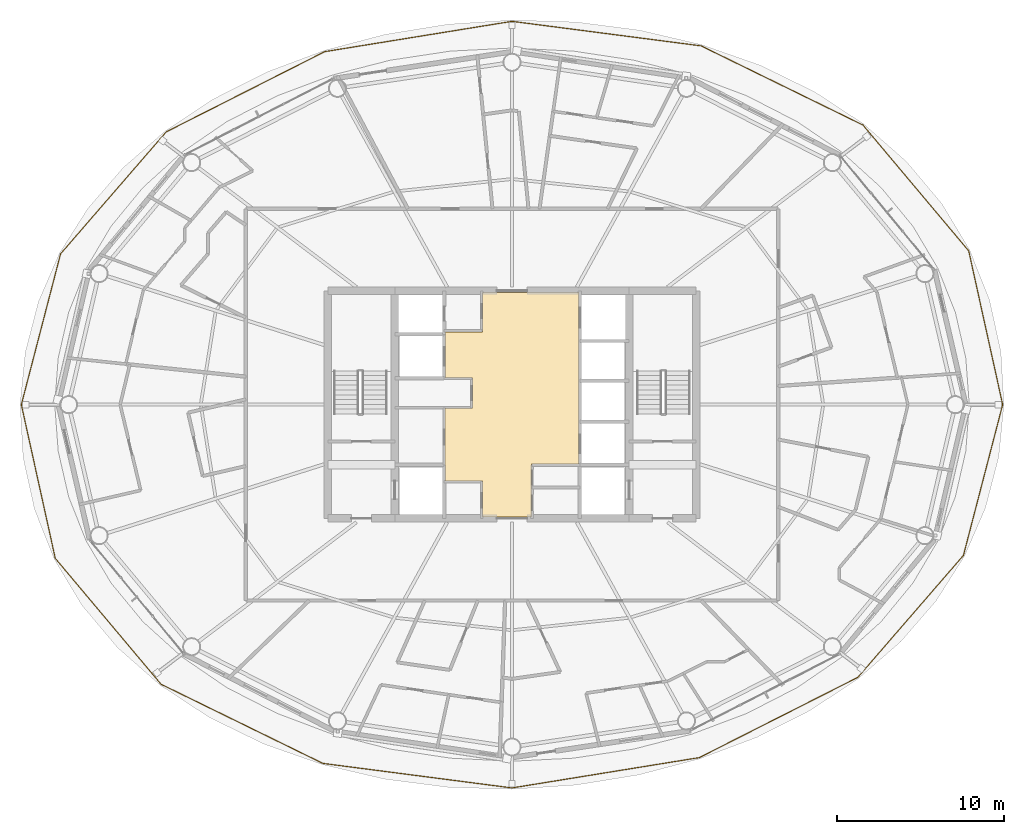
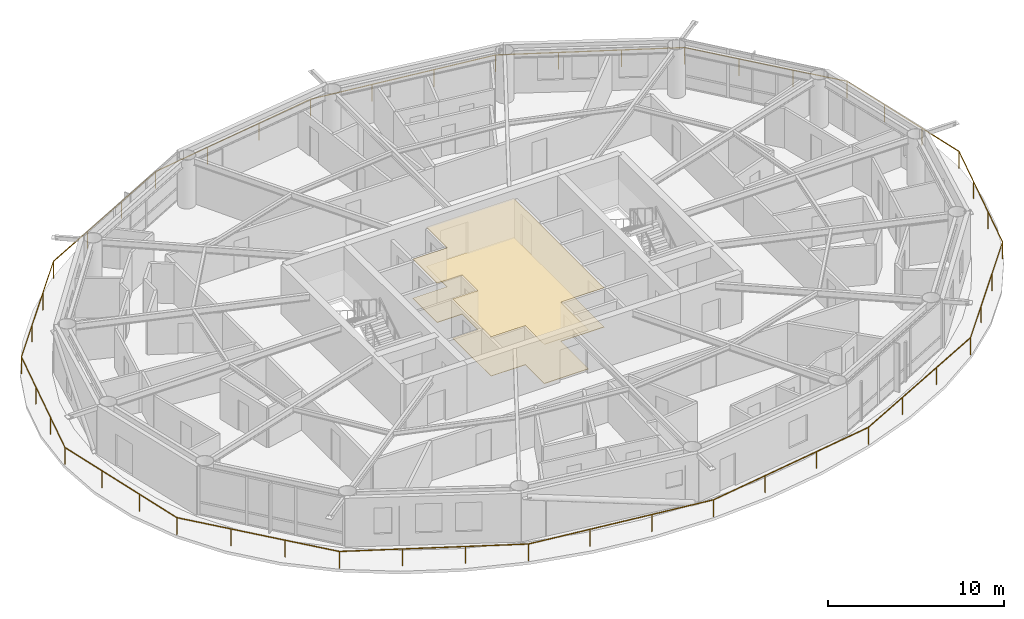
# One storey, part 26 of 27: 2 coverings, 1 railing.
"""IFC4 building model written with IfcOpenShell, lengths in metres."""

import ifcopenshell
import ifcopenshell.guid

model = None  # the IFC model being written
_history = None  # IfcOwnerHistory: only IFC2X3 demands one
_inside = {}  # id of a spatial element -> (the spatial element, [elements in it])
_under = {}  # id of a project, library or spatial element -> (it, [spatial elements below it])
_declared = {}  # id of a project -> (the project, [libraries it declares])
_typed = {}  # id of a type object -> (the type object, [elements of that type])
_made_of = {}  # id of a material, layer set ... -> (it, [elements and type objects made of it])


def new_model(schema):
    """Start an empty IFC model of exactly this schema.

    Asked for "IFC4X3", IfcOpenShell would pick the latest addendum, in which some entities
    have other attributes; the version numbers below select the first issue.
    IFC2X3 requires an IfcOwnerHistory on every rooted entity: one is made here for all.
    """
    global model, _history
    if schema == "IFC4X3":
        model = ifcopenshell.file(schema_version=(4, 3, 0, 0))
    else:
        model = ifcopenshell.file(schema=schema)
    _inside.clear()
    _under.clear()
    _declared.clear()
    _typed.clear()
    _made_of.clear()
    _history = None
    if model.schema == "IFC2X3":
        org = make("IfcOrganization", Name="unknown")
        user = make(
            "IfcPersonAndOrganization",
            ThePerson=make("IfcPerson", FamilyName="unknown"),
            TheOrganization=org,
        )
        app = make(
            "IfcApplication",
            ApplicationDeveloper=org,
            Version="unknown",
            ApplicationFullName="unknown",
            ApplicationIdentifier="unknown",
        )
        _history = make(
            "IfcOwnerHistory",
            OwningUser=user,
            OwningApplication=app,
            ChangeAction="ADDED",
            CreationDate=0,
        )
    return model


def make(cls, **values):
    """One entity of the class cls with the attributes given. An attribute that is None is left unset."""
    return model.create_entity(
        cls, **{name: value for name, value in values.items() if value is not None}
    )


def rooted(cls, **values):
    """An entity with a GlobalId (a new one), such as an element, a storey or a relation."""
    return make(cls, GlobalId=ifcopenshell.guid.new(), OwnerHistory=_history, **values)


def si_unit(unit_type, name, prefix=None):
    """IfcSIUnit, for example si_unit("LENGTHUNIT", "METRE", prefix="MILLI")."""
    return make("IfcSIUnit", UnitType=unit_type, Prefix=prefix, Name=name)


def assignment(units):
    """IfcUnitAssignment: the units of a project."""
    return None if units is None else make("IfcUnitAssignment", Units=units)


def point(xyz):
    """IfcCartesianPoint."""
    return None if xyz is None else make("IfcCartesianPoint", Coordinates=xyz)


def direction(xyz):
    """IfcDirection."""
    return None if xyz is None else make("IfcDirection", DirectionRatios=xyz)


def frame(location, z_axis=None, x_axis=None):
    """IfcAxis2Placement3D, a coordinate frame: its origin and axes. An axis left out is left unset."""
    return make(
        "IfcAxis2Placement3D",
        Location=point(location),
        Axis=direction(z_axis),
        RefDirection=direction(x_axis),
    )


def frame_2d(location, x_axis=None):
    """IfcAxis2Placement2D, a coordinate frame in the plane: its origin and x axis."""
    return make(
        "IfcAxis2Placement2D", Location=point(location), RefDirection=direction(x_axis)
    )


def origin():
    """The frame at (0, 0, 0) with its axes left unset."""
    return frame((0.0, 0.0, 0.0))


def origin_2d():
    """The frame at (0, 0) in the plane with its x axis left unset."""
    return frame_2d((0.0, 0.0))


def place(relative_to, where):
    """IfcLocalPlacement: puts the frame where relative to a parent placement (None: the world)."""
    return make(
        "IfcLocalPlacement", PlacementRelTo=relative_to, RelativePlacement=where
    )


def context(
    kind, dimensions, precision=None, world=None, true_north=None, identifier=None
):
    """IfcGeometricRepresentationContext, for example the 3D "Model" context."""
    return make(
        "IfcGeometricRepresentationContext",
        ContextIdentifier=identifier,
        ContextType=kind,
        CoordinateSpaceDimension=dimensions,
        Precision=precision,
        WorldCoordinateSystem=world,
        TrueNorth=true_north,
    )


def subcontext(parent, identifier, kind, view, scale=None):
    """IfcGeometricRepresentationSubContext, for example "Body" below "Model"."""
    return make(
        "IfcGeometricRepresentationSubContext",
        ContextIdentifier=identifier,
        ContextType=kind,
        ParentContext=parent,
        TargetScale=scale,
        TargetView=view,
    )


def project(units=None, contexts=None):
    """IfcProject with its units and contexts."""
    return rooted(
        "IfcProject",
        Name="project",
        RepresentationContexts=contexts,
        UnitsInContext=assignment(units),
    )


def spatial(cls, under=None, at=None, **own):
    """A site, building, storey or space (cls), placed at a placement, below another one or the project."""
    s = rooted(cls, ObjectPlacement=at, **own)
    if under is not None:
        _under.setdefault(under.id(), (under, []))[1].append(s)
    return s


def polyline(points):
    """IfcPolyline through the points."""
    return make("IfcPolyline", Points=[point(p) for p in points])


def profile(cls, at=None, kind="AREA", **sizes):
    """A parametric profile (cls). Its sizes go by their IFC names, for example OverallWidth=200.0."""
    return make(cls, ProfileType=kind, Position=at, **sizes)


def rectangle(**sizes):
    """IfcRectangleProfileDef."""
    return profile("IfcRectangleProfileDef", **sizes)


def outline(outer, holes=None, kind="AREA"):
    """IfcArbitraryClosedProfileDef: a profile drawn as a closed curve; with holes, ...WithVoids."""
    if holes is None:
        return make("IfcArbitraryClosedProfileDef", ProfileType=kind, OuterCurve=outer)
    return make(
        "IfcArbitraryProfileDefWithVoids",
        ProfileType=kind,
        OuterCurve=outer,
        InnerCurves=holes,
    )


def extrude(swept, where, along, depth):
    """IfcExtrudedAreaSolid: the profile swept, set in the frame where, extruded along a direction by depth."""
    return make(
        "IfcExtrudedAreaSolid",
        SweptArea=swept,
        Position=where,
        ExtrudedDirection=direction(along),
        Depth=depth,
    )


def shape(context_of_items, identifier, shape_type, items):
    """IfcShapeRepresentation: the items that make up one representation, for example the "Body"."""
    return make(
        "IfcShapeRepresentation",
        ContextOfItems=context_of_items,
        RepresentationIdentifier=identifier,
        RepresentationType=shape_type,
        Items=items,
    )


def material(Name=None, Category=None):
    """IfcMaterial."""
    return make("IfcMaterial", Name=Name, Category=Category)


def layer(
    of_material, thickness, ventilated=None, Name=None, Category=None, Priority=None
):
    """IfcMaterialLayer: one layer of a wall or slab, of a material (None: an air gap)."""
    return make(
        "IfcMaterialLayer",
        Material=of_material,
        LayerThickness=thickness,
        IsVentilated=ventilated,
        Name=Name,
        Category=Category,
        Priority=Priority,
    )


def layer_set(layers, Name=None):
    """IfcMaterialLayerSet."""
    return make("IfcMaterialLayerSet", MaterialLayers=layers, LayerSetName=Name)


def made_of(thing, what):
    """Note that an element or type object is made of a material, layer set ...; save() writes the relation."""
    if what is not None:
        _made_of.setdefault(what.id(), (what, []))[1].append(thing)
    return thing


def type_object(cls, material=None, **own):
    """A type object (cls), such as IfcWallType, which elements share."""
    return made_of(rooted(cls, **own), material)


def element(
    cls,
    number,
    at=None,
    inside=None,
    cuts=None,
    type_object=None,
    material=None,
    context=None,
    identifier="Body",
    shape_type=None,
    held_by="IfcProductDefinitionShape",
    body=None,
    shapes=None,
    **own,
):
    """One element of the class cls, such as IfcWall. Its Tag is "e" and its number.

    at: its placement. inside: the storey or other place that contains it. cuts: it is an
    opening in that element (IfcRelVoidsElement). A single representation is given by context,
    identifier, shape_type and body (its items); several are given by shapes. held_by: the class
    of the entity that holds the representations. save() writes the other relations.
    """
    e = rooted(cls, Tag="e%d" % number, ObjectPlacement=at, **own)
    if body is not None:
        shapes = [shape(context, identifier, shape_type, body)]
    if shapes is not None:
        e.Representation = make(held_by, Representations=shapes)
    if inside is not None:
        _inside.setdefault(inside.id(), (inside, []))[1].append(e)
    if cuts is not None:
        rooted(
            "IfcRelVoidsElement", RelatingBuildingElement=cuts, RelatedOpeningElement=e
        )
    if type_object is not None:
        _typed.setdefault(type_object.id(), (type_object, []))[1].append(e)
    return made_of(e, material)


def aggregate(whole, parts):
    """IfcRelAggregates: a whole, such as a stair, and the parts it consists of."""
    return rooted("IfcRelAggregates", RelatingObject=whole, RelatedObjects=parts)


def save(model, path):
    """Write the relations noted so far, then the file.

    IfcRelAggregates (storeys below a building ...), IfcRelContainedInSpatialStructure (elements
    in a storey), IfcRelDefinesByType, IfcRelAssociatesMaterial and IfcRelDeclares: one each for
    every whole, place, type object, material and project.
    """
    for whole, parts in _under.values():
        aggregate(whole, parts)
    for where, things in _inside.values():
        rooted(
            "IfcRelContainedInSpatialStructure",
            RelatedElements=things,
            RelatingStructure=where,
        )
    for kind, things in _typed.values():
        rooted("IfcRelDefinesByType", RelatedObjects=things, RelatingType=kind)
    for what, things in _made_of.values():
        rooted("IfcRelAssociatesMaterial", RelatedObjects=things, RelatingMaterial=what)
    for by, libraries in _declared.values():
        rooted("IfcRelDeclares", RelatingContext=by, RelatedDefinitions=libraries)
    model.write(path)


model = new_model("IFC4")

# Units and contexts
model_context = context("Model", 3, precision=1e-05, world=origin(), true_north=direction((0.0, 1.0)))
body_context = subcontext(model_context, "Body", "Model", "MODEL_VIEW")
ifc_project = project(units=[si_unit("LENGTHUNIT", "METRE"), si_unit("AREAUNIT", "SQUARE_METRE"), si_unit("VOLUMEUNIT", "CUBIC_METRE"), si_unit("PLANEANGLEUNIT", "RADIAN"), si_unit("MASSUNIT", "GRAM", prefix="KILO")], contexts=[model_context])

# Site, building, storey
site_placement = place(None, origin())
site = spatial("IfcSite", under=ifc_project, at=site_placement, CompositionType="ELEMENT")
building_placement = place(site_placement, origin())
building = spatial("IfcBuilding", under=site, at=building_placement, Name="Sarneth Arch Tower", CompositionType="ELEMENT")
storey_placement = place(building_placement, frame((0.0, 0.0, 157.800048828125)))
storey = spatial("IfcBuildingStorey", under=building, at=storey_placement, Name="L39", CompositionType="ELEMENT", Elevation=157.800048828125)

# Coverings
ifc_material_1 = material(Name="Perforated acoustic gypsum ceiling board")
ifc_layer_1 = layer(ifc_material_1, 0.02490234375)
ifc_layer_set_1 = layer_set([ifc_layer_1], Name="Perforated acoustic gypsum ceiling board")
covering_type_1 = type_object("IfcCoveringType", Name="COV-CEIL-GYP", PredefinedType="CEILING", material=ifc_layer_set_1)
covering_1_placement = place(storey_placement, frame((0.0, 0.0, 2.7099609375)))
element("IfcCovering", 1, at=covering_1_placement, inside=storey, type_object=covering_type_1, Name="L39 Lift lobby acoustic ceiling", PredefinedType="CEILING", context=body_context, shape_type="SweptSolid", body=[
    extrude(outline(polyline([(49.14990234375, 38.449951171875), (49.14990234375, 35.300048828125), (46.25, 35.300048828125), (46.25, 37.449951171875), (44.0, 37.449951171875), (44.0, 41.800048828125), (45.64990234375, 41.800048828125), (45.64990234375, 43.580078125), (44.0, 43.580078125), (44.0, 46.35009765625), (46.25, 46.35009765625), (46.25, 48.699951171875), (52.0, 48.699951171875), (52.0, 38.449951171875), (49.14990234375, 38.449951171875)])), origin(), (0.0, 0.0, 1.0), 0.030029296875),
])
ifc_material_2 = material(Name="Honed granite stone flooring", Category="masonry")
ifc_layer_2 = layer(ifc_material_2, 0.030029296875)
ifc_layer_set_2 = layer_set([ifc_layer_2], Name="Honed granite stone flooring")
covering_type_2 = type_object("IfcCoveringType", Name="COV-FLR-STONE", PredefinedType="FLOORING", material=ifc_layer_set_2)
covering_2_placement = place(storey_placement, origin())
element("IfcCovering", 2, at=covering_2_placement, inside=storey, type_object=covering_type_2, Name="L39 Lift lobby granite flooring", PredefinedType="FLOORING", context=body_context, shape_type="SweptSolid", body=[
    extrude(outline(polyline([(49.14990234375, 38.449951171875), (49.14990234375, 35.300048828125), (46.25, 35.300048828125), (46.25, 37.449951171875), (44.0, 37.449951171875), (44.0, 41.800048828125), (45.64990234375, 41.800048828125), (45.64990234375, 43.580078125), (44.0, 43.580078125), (44.0, 46.35009765625), (46.25, 46.35009765625), (46.25, 48.699951171875), (52.0, 48.699951171875), (52.0, 38.449951171875), (49.14990234375, 38.449951171875)])), origin(), (0.0, 0.0, 1.0), 0.030029296875),
])

# Railing
ifc_material_3 = material(Name="Laminated structural glass infill with Stainless Steel 316 top rail and posts", Category="steel")
railing_type = type_object("IfcRailingType", Name="RAIL-BALC-1200", PredefinedType="BALUSTRADE", material=ifc_material_3)
railing_placement = place(storey_placement, frame((77.308349609375, 42.0, 0.0)))
element("IfcRailing", 3, at=railing_placement, inside=storey, type_object=railing_type, Name="L39 Helical balcony glass balustrade", PredefinedType="BALUSTRADE", context=body_context, shape_type="SweptSolid", body=[
    extrude(rectangle(XDim=0.048095703125, YDim=0.048095703125, at=origin_2d()), frame((0.0, 0.0, 1.17578125), z_axis=(-0.215608068338, 0.976479984878, 0.0), x_axis=(-0.976479984878, -0.215608068338, 0.0)), (0.0, 0.0, 1.0), 9.404052734375),
    extrude(rectangle(XDim=0.048095703125, YDim=0.048095703125, at=origin_2d()), frame((-2.027587890625, 9.182861328125, 1.17578125), z_axis=(-0.643316866428, 0.765600032242, 0.0), x_axis=(-0.765600032242, -0.643316866428, 0.0)), (0.0, 0.0, 1.0), 9.81884765625),
    extrude(rectangle(XDim=0.048095703125, YDim=0.048095703125, at=origin_2d()), frame((-8.34423828125, 16.7001953125, 1.17578125), z_axis=(-0.898294835006, 0.439393205911, 0.0), x_axis=(-0.439393205911, -0.898294835006, 0.0)), (0.0, 0.0, 1.0), 10.7626953125),
    extrude(rectangle(XDim=0.048095703125, YDim=0.048095703125, at=origin_2d()), frame((-18.01220703125, 21.42919921875, 1.17578125), z_axis=(-0.991685648082, 0.128684013726, 0.0), x_axis=(-0.128684013726, -0.991685648082, 0.0)), (0.0, 0.0, 1.0), 11.390869140625),
    extrude(rectangle(XDim=0.048095703125, YDim=0.048095703125, at=origin_2d()), frame((-29.308349609375, 22.89501953125, 1.17578125), z_axis=(-0.987143167286, -0.159838566312, 0.0), x_axis=(0.159838566312, -0.987143167286, 0.0)), (0.0, 0.0, 1.0), 11.33349609375),
    extrude(rectangle(XDim=0.048095703125, YDim=0.048095703125, at=origin_2d()), frame((-40.49609375, 21.08349609375, 1.17578125), z_axis=(-0.892207735213, -0.451625239801, 0.0), x_axis=(0.451625239801, -0.892207735213, 0.0)), (0.0, 0.0, 1.0), 10.612060546875),
    extrude(rectangle(XDim=0.048095703125, YDim=0.048095703125, at=origin_2d()), frame((-49.96435546875, 16.290771484375, 1.17578125), z_axis=(-0.654644984589, -0.755936468331, 0.0), x_axis=(0.755936468331, -0.654644984589, 0.0)), (0.0, 0.0, 1.0), 9.63623046875),
    extrude(rectangle(XDim=0.048095703125, YDim=0.048095703125, at=origin_2d()), frame((-56.272705078125, 9.00634765625, 1.17578125), z_axis=(-0.251869741169, -0.967761144851, 0.0), x_axis=(0.967761144851, -0.251869741169, 0.0)), (0.0, 0.0, 1.0), 9.306396484375),
    extrude(rectangle(XDim=0.048095703125, YDim=0.048095703125, at=origin_2d()), frame((-58.61669921875, 0.0, 1.17578125), z_axis=(0.215608068338, -0.976479984878, 0.0), x_axis=(0.976479984878, 0.215608068338, 0.0)), (0.0, 0.0, 1.0), 9.404052734375),
    extrude(rectangle(XDim=0.048095703125, YDim=0.048095703125, at=origin_2d()), frame((-56.589111328125, -9.182861328125, 1.17578125), z_axis=(0.643316866428, -0.765600032242, 0.0), x_axis=(0.765600032242, 0.643316866428, 0.0)), (0.0, 0.0, 1.0), 9.81884765625),
    extrude(rectangle(XDim=0.048095703125, YDim=0.048095703125, at=origin_2d()), frame((-50.2724609375, -16.7001953125, 1.17578125), z_axis=(0.898294835006, -0.439393205911, 0.0), x_axis=(0.439393205911, 0.898294835006, 0.0)), (0.0, 0.0, 1.0), 10.7626953125),
    extrude(rectangle(XDim=0.048095703125, YDim=0.048095703125, at=origin_2d()), frame((-40.6044921875, -21.42919921875, 1.17578125), z_axis=(0.991685648082, -0.128684013726, 0.0), x_axis=(0.128684013726, 0.991685648082, 0.0)), (0.0, 0.0, 1.0), 11.390869140625),
    extrude(rectangle(XDim=0.048095703125, YDim=0.048095703125, at=origin_2d()), frame((-29.308349609375, -22.89501953125, 1.17578125), z_axis=(0.987143167286, 0.159838566312, 0.0), x_axis=(-0.159838566312, 0.987143167286, 0.0)), (0.0, 0.0, 1.0), 11.33349609375),
    extrude(rectangle(XDim=0.048095703125, YDim=0.048095703125, at=origin_2d()), frame((-18.12060546875, -21.08349609375, 1.17578125), z_axis=(0.892207735213, 0.451625239801, 0.0), x_axis=(-0.451625239801, 0.892207735213, 0.0)), (0.0, 0.0, 1.0), 10.612060546875),
    extrude(rectangle(XDim=0.048095703125, YDim=0.048095703125, at=origin_2d()), frame((-8.65234375, -16.290771484375, 1.17578125), z_axis=(0.654644984589, 0.755936468331, 0.0), x_axis=(-0.755936468331, 0.654644984589, 0.0)), (0.0, 0.0, 1.0), 9.63623046875),
    extrude(rectangle(XDim=0.048095703125, YDim=0.048095703125, at=origin_2d()), frame((-2.343994140625, -9.00634765625, 1.17578125), z_axis=(0.251869741169, 0.967761144851, 0.0), x_axis=(-0.967761144851, 0.251869741169, 0.0)), (0.0, 0.0, 1.0), 9.306396484375),
    extrude(rectangle(XDim=0.0419921875, YDim=0.0419921875, at=origin_2d()), origin(), (0.0, 0.0, 1.0), 1.15185546875),
    extrude(rectangle(XDim=0.0419921875, YDim=0.0419921875, at=origin_2d()), frame((-0.67578125, 3.06103515625, 0.0)), (0.0, 0.0, 1.0), 1.15185546875),
    extrude(rectangle(XDim=0.0419921875, YDim=0.0419921875, at=origin_2d()), frame((-1.351806640625, 6.121826171875, 0.0)), (0.0, 0.0, 1.0), 1.15185546875),
    extrude(rectangle(XDim=0.0419921875, YDim=0.0419921875, at=origin_2d()), frame((-2.027587890625, 9.182861328125, 0.0)), (0.0, 0.0, 1.0), 1.15185546875),
    extrude(rectangle(XDim=0.0419921875, YDim=0.0419921875, at=origin_2d()), frame((-4.133056640625, 11.688720703125, 0.0)), (0.0, 0.0, 1.0), 1.15185546875),
    extrude(rectangle(XDim=0.0419921875, YDim=0.0419921875, at=origin_2d()), frame((-6.23876953125, 14.1943359375, 0.0)), (0.0, 0.0, 1.0), 1.15185546875),
    extrude(rectangle(XDim=0.0419921875, YDim=0.0419921875, at=origin_2d()), frame((-8.34423828125, 16.7001953125, 0.0)), (0.0, 0.0, 1.0), 1.15185546875),
    extrude(rectangle(XDim=0.0419921875, YDim=0.0419921875, at=origin_2d()), frame((-11.56689453125, 18.276611328125, 0.0)), (0.0, 0.0, 1.0), 1.15185546875),
    extrude(rectangle(XDim=0.0419921875, YDim=0.0419921875, at=origin_2d()), frame((-14.78955078125, 19.852783203125, 0.0)), (0.0, 0.0, 1.0), 1.15185546875),
    extrude(rectangle(XDim=0.0419921875, YDim=0.0419921875, at=origin_2d()), frame((-18.01220703125, 21.42919921875, 0.0)), (0.0, 0.0, 1.0), 1.15185546875),
    extrude(rectangle(XDim=0.0419921875, YDim=0.0419921875, at=origin_2d()), frame((-21.777587890625, 21.917724609375, 0.0)), (0.0, 0.0, 1.0), 1.15185546875),
    extrude(rectangle(XDim=0.0419921875, YDim=0.0419921875, at=origin_2d()), frame((-25.54296875, 22.406494140625, 0.0)), (0.0, 0.0, 1.0), 1.15185546875),
    extrude(rectangle(XDim=0.0419921875, YDim=0.0419921875, at=origin_2d()), frame((-29.308349609375, 22.89501953125, 0.0)), (0.0, 0.0, 1.0), 1.15185546875),
    extrude(rectangle(XDim=0.0419921875, YDim=0.0419921875, at=origin_2d()), frame((-33.03759765625, 22.291259765625, 0.0)), (0.0, 0.0, 1.0), 1.15185546875),
    extrude(rectangle(XDim=0.0419921875, YDim=0.0419921875, at=origin_2d()), frame((-36.766845703125, 21.687255859375, 0.0)), (0.0, 0.0, 1.0), 1.15185546875),
    extrude(rectangle(XDim=0.0419921875, YDim=0.0419921875, at=origin_2d()), frame((-40.49609375, 21.08349609375, 0.0)), (0.0, 0.0, 1.0), 1.15185546875),
    extrude(rectangle(XDim=0.0419921875, YDim=0.0419921875, at=origin_2d()), frame((-43.652099609375, 19.48583984375, 0.0)), (0.0, 0.0, 1.0), 1.15185546875),
    extrude(rectangle(XDim=0.0419921875, YDim=0.0419921875, at=origin_2d()), frame((-46.808349609375, 17.888427734375, 0.0)), (0.0, 0.0, 1.0), 1.15185546875),
    extrude(rectangle(XDim=0.0419921875, YDim=0.0419921875, at=origin_2d()), frame((-49.96435546875, 16.290771484375, 0.0)), (0.0, 0.0, 1.0), 1.15185546875),
    extrude(rectangle(XDim=0.0419921875, YDim=0.0419921875, at=origin_2d()), frame((-52.067138671875, 13.862548828125, 0.0)), (0.0, 0.0, 1.0), 1.15185546875),
    extrude(rectangle(XDim=0.0419921875, YDim=0.0419921875, at=origin_2d()), frame((-54.169921875, 11.4345703125, 0.0)), (0.0, 0.0, 1.0), 1.15185546875),
    extrude(rectangle(XDim=0.0419921875, YDim=0.0419921875, at=origin_2d()), frame((-56.272705078125, 9.00634765625, 0.0)), (0.0, 0.0, 1.0), 1.15185546875),
    extrude(rectangle(XDim=0.0419921875, YDim=0.0419921875, at=origin_2d()), frame((-57.053955078125, 6.004150390625, 0.0)), (0.0, 0.0, 1.0), 1.15185546875),
    extrude(rectangle(XDim=0.0419921875, YDim=0.0419921875, at=origin_2d()), frame((-57.83544921875, 3.002197265625, 0.0)), (0.0, 0.0, 1.0), 1.15185546875),
    extrude(rectangle(XDim=0.0419921875, YDim=0.0419921875, at=origin_2d()), frame((-58.61669921875, 0.0, 0.0)), (0.0, 0.0, 1.0), 1.15185546875),
    extrude(rectangle(XDim=0.0419921875, YDim=0.0419921875, at=origin_2d()), frame((-57.94091796875, -3.06103515625, 0.0)), (0.0, 0.0, 1.0), 1.15185546875),
    extrude(rectangle(XDim=0.0419921875, YDim=0.0419921875, at=origin_2d()), frame((-57.264892578125, -6.121826171875, 0.0)), (0.0, 0.0, 1.0), 1.15185546875),
    extrude(rectangle(XDim=0.0419921875, YDim=0.0419921875, at=origin_2d()), frame((-56.589111328125, -9.182861328125, 0.0)), (0.0, 0.0, 1.0), 1.15185546875),
    extrude(rectangle(XDim=0.0419921875, YDim=0.0419921875, at=origin_2d()), frame((-54.483642578125, -11.688720703125, 0.0)), (0.0, 0.0, 1.0), 1.15185546875),
    extrude(rectangle(XDim=0.0419921875, YDim=0.0419921875, at=origin_2d()), frame((-52.3779296875, -14.1943359375, 0.0)), (0.0, 0.0, 1.0), 1.15185546875),
    extrude(rectangle(XDim=0.0419921875, YDim=0.0419921875, at=origin_2d()), frame((-50.2724609375, -16.7001953125, 0.0)), (0.0, 0.0, 1.0), 1.15185546875),
    extrude(rectangle(XDim=0.0419921875, YDim=0.0419921875, at=origin_2d()), frame((-47.0498046875, -18.276611328125, 0.0)), (0.0, 0.0, 1.0), 1.15185546875),
    extrude(rectangle(XDim=0.0419921875, YDim=0.0419921875, at=origin_2d()), frame((-43.8271484375, -19.852783203125, 0.0)), (0.0, 0.0, 1.0), 1.15185546875),
    extrude(rectangle(XDim=0.0419921875, YDim=0.0419921875, at=origin_2d()), frame((-40.6044921875, -21.42919921875, 0.0)), (0.0, 0.0, 1.0), 1.15185546875),
    extrude(rectangle(XDim=0.0419921875, YDim=0.0419921875, at=origin_2d()), frame((-36.839111328125, -21.917724609375, 0.0)), (0.0, 0.0, 1.0), 1.15185546875),
    extrude(rectangle(XDim=0.0419921875, YDim=0.0419921875, at=origin_2d()), frame((-33.07373046875, -22.406494140625, 0.0)), (0.0, 0.0, 1.0), 1.15185546875),
    extrude(rectangle(XDim=0.0419921875, YDim=0.0419921875, at=origin_2d()), frame((-29.308349609375, -22.89501953125, 0.0)), (0.0, 0.0, 1.0), 1.15185546875),
    extrude(rectangle(XDim=0.0419921875, YDim=0.0419921875, at=origin_2d()), frame((-25.5791015625, -22.291259765625, 0.0)), (0.0, 0.0, 1.0), 1.15185546875),
    extrude(rectangle(XDim=0.0419921875, YDim=0.0419921875, at=origin_2d()), frame((-21.849853515625, -21.687255859375, 0.0)), (0.0, 0.0, 1.0), 1.15185546875),
    extrude(rectangle(XDim=0.0419921875, YDim=0.0419921875, at=origin_2d()), frame((-18.12060546875, -21.08349609375, 0.0)), (0.0, 0.0, 1.0), 1.15185546875),
    extrude(rectangle(XDim=0.0419921875, YDim=0.0419921875, at=origin_2d()), frame((-14.964599609375, -19.48583984375, 0.0)), (0.0, 0.0, 1.0), 1.15185546875),
    extrude(rectangle(XDim=0.0419921875, YDim=0.0419921875, at=origin_2d()), frame((-11.808349609375, -17.888427734375, 0.0)), (0.0, 0.0, 1.0), 1.15185546875),
    extrude(rectangle(XDim=0.0419921875, YDim=0.0419921875, at=origin_2d()), frame((-8.65234375, -16.290771484375, 0.0)), (0.0, 0.0, 1.0), 1.15185546875),
    extrude(rectangle(XDim=0.0419921875, YDim=0.0419921875, at=origin_2d()), frame((-6.549560546875, -13.862548828125, 0.0)), (0.0, 0.0, 1.0), 1.15185546875),
    extrude(rectangle(XDim=0.0419921875, YDim=0.0419921875, at=origin_2d()), frame((-4.44677734375, -11.4345703125, 0.0)), (0.0, 0.0, 1.0), 1.15185546875),
    extrude(rectangle(XDim=0.0419921875, YDim=0.0419921875, at=origin_2d()), frame((-2.343994140625, -9.00634765625, 0.0)), (0.0, 0.0, 1.0), 1.15185546875),
    extrude(rectangle(XDim=0.0419921875, YDim=0.0419921875, at=origin_2d()), frame((-1.562744140625, -6.004150390625, 0.0)), (0.0, 0.0, 1.0), 1.15185546875),
    extrude(rectangle(XDim=0.0419921875, YDim=0.0419921875, at=origin_2d()), frame((-0.78125, -3.002197265625, 0.0)), (0.0, 0.0, 1.0), 1.15185546875),
])

save(model, "model.ifc")
